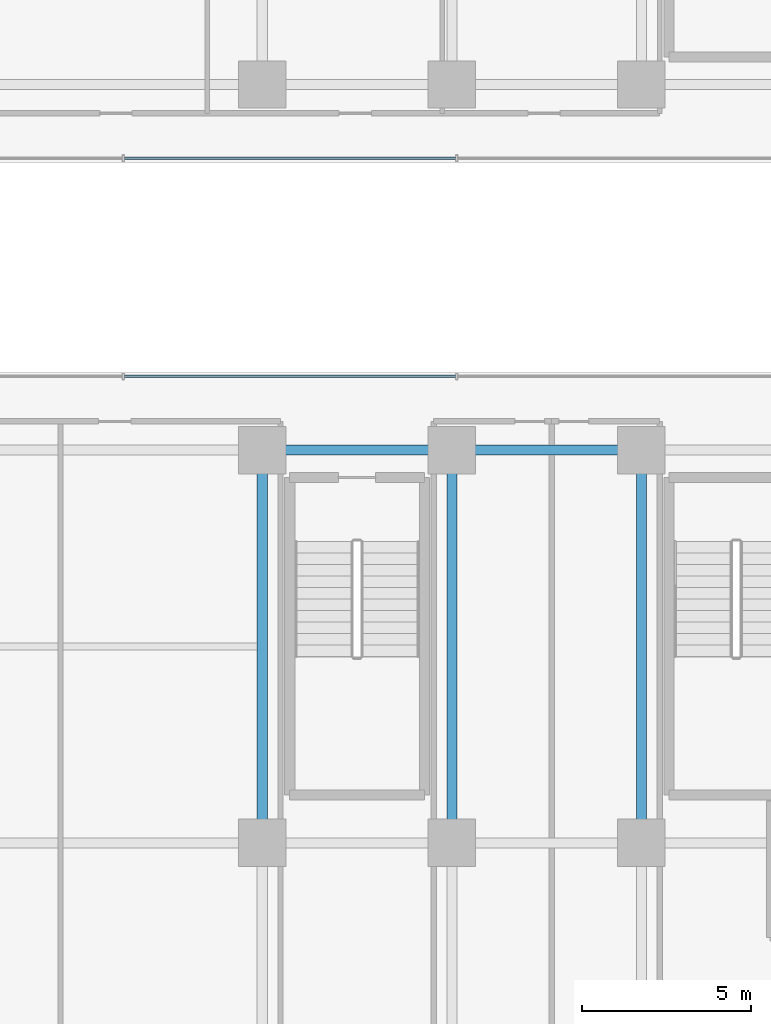
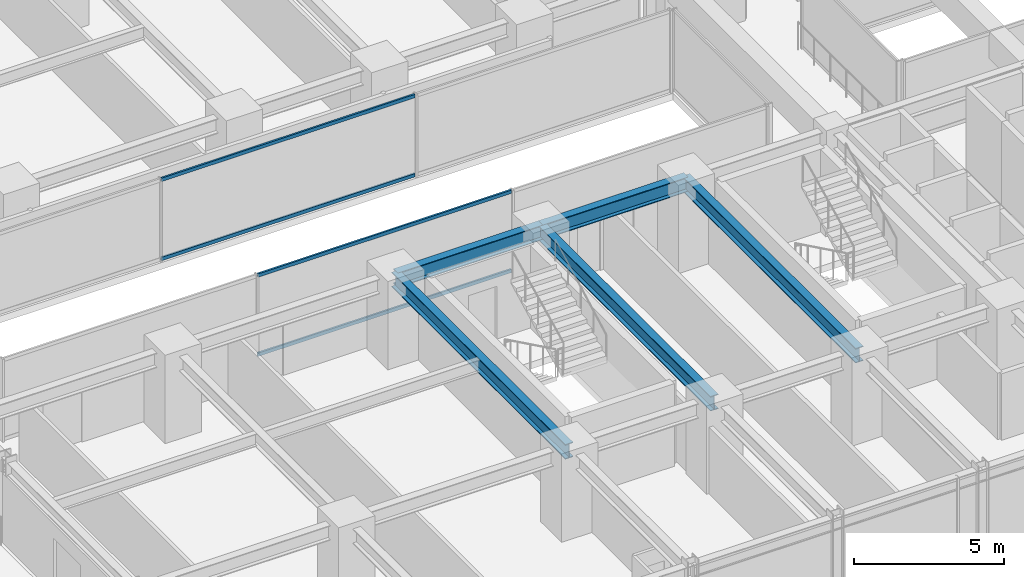
# One storey, part 10 of 37: 5 beams, 4 members, 2 elements without a shape of their own.
"""IFC4 building model written with IfcOpenShell, lengths in metres."""

from ifc_helpers import new_model, si_unit, direction, frame, origin, origin_2d, place, context, subcontext, project, spatial, hollow_rectangle, i_section, extrude, source, transform, mapped, material, material_profile, profile_set, type_object, element, aggregate, save


model = new_model("IFC4")

# Units and contexts
model_context = context("Model", 3, precision=1e-05, world=origin(), true_north=direction((0.0, 1.0)))
body_context = subcontext(model_context, "Body", "Model", "MODEL_VIEW")
ifc_project = project(units=[si_unit("LENGTHUNIT", "METRE"), si_unit("AREAUNIT", "SQUARE_METRE"), si_unit("VOLUMEUNIT", "CUBIC_METRE"), si_unit("PLANEANGLEUNIT", "RADIAN"), si_unit("MASSUNIT", "GRAM", prefix="KILO")], contexts=[model_context])

# Site, building, storey
site_placement = place(None, origin())
site = spatial("IfcSite", under=ifc_project, at=site_placement, CompositionType="ELEMENT")
building_placement = place(site_placement, origin())
building = spatial("IfcBuilding", under=site, at=building_placement, Name="Nahalor Promenade Grand Hotel", CompositionType="ELEMENT")
storey_placement = place(building_placement, frame((0.0, 0.0, 65.25)))
storey = spatial("IfcBuildingStorey", under=building, at=storey_placement, Name="L15", CompositionType="ELEMENT", Elevation=65.25)

# Beams
ifc_material_1 = material(Name="Steel S355JR", Category="steel")
ifc_material_profile_1 = material_profile(ifc_material_1, i_section(OverallWidth=0.3, OverallDepth=0.6, WebThickness=0.0155, FlangeThickness=0.03, at=origin_2d()), Name="HEB 600")
ifc_profile_set_1 = profile_set([ifc_material_profile_1], Name="Steel S355JR")
beam_type = type_object("IfcBeamType", Name="Beam-Girder-HEB600", PredefinedType="BEAM", material=ifc_profile_set_1)
shared_shape_1 = source(origin(), body_context, "Body", "SweptSolid", [
    extrude(i_section(OverallWidth=0.3, OverallDepth=0.6, WebThickness=0.0155, FlangeThickness=0.03, at=origin_2d()), origin(), (0.0, 0.0, 1.0), 5.599853515625),
])
beam_1_placement = place(storey_placement, frame((-8.39990234375, -5.39990234375, 3.070068359375), z_axis=(1.0, 0.0, 0.0), x_axis=(0.0, 1.0, 0.0)))
element("IfcBeam", 1, at=beam_1_placement, inside=storey, type_object=beam_type, Name="BM-L15-GX-1-2", PredefinedType="BEAM", context=body_context, shape_type="MappedRepresentation", body=[
    mapped(shared_shape_1, transform((0.0, 0.0, 0.0), scale=1.0)),
])
shared_shape_2 = source(origin(), body_context, "Body", "SweptSolid", [
    extrude(i_section(OverallWidth=0.3, OverallDepth=0.6, WebThickness=0.0155, FlangeThickness=0.03, at=origin_2d()), origin(), (0.0, 0.0, 1.0), 5.60009765625),
])
beam_2_placement = place(storey_placement, frame((-2.800048828125, -5.39990234375, 3.070068359375), z_axis=(1.0, 0.0, 0.0), x_axis=(0.0, 1.0, 0.0)))
element("IfcBeam", 2, at=beam_2_placement, inside=storey, type_object=beam_type, Name="BM-L15-GX-1-3", PredefinedType="BEAM", context=body_context, shape_type="MappedRepresentation", body=[
    mapped(shared_shape_2, transform((0.0, 0.0, 0.0), scale=1.0)),
])
shared_shape_3 = source(origin(), body_context, "Body", "SweptSolid", [
    extrude(i_section(OverallWidth=0.3, OverallDepth=0.6, WebThickness=0.0155, FlangeThickness=0.03, at=origin_2d()), origin(), (0.0, 0.0, 1.0), 11.60009765625),
])
for number, where, z_axis, x_axis, name in (
    (3, (-8.39990234375, -17.0, 3.070068359375), (0.0, 1.0, 0.0), (-1.0, 0.0, 0.0), "BM-L15-GY-1-1"),
    (4, (-2.800048828125, -17.0, 3.070068359375), (0.0, 1.0, 0.0), (-1.0, 0.0, 0.0), "BM-L15-GY-2-1"),
    (5, (2.800048828125, -17.0, 3.070068359375), (0.0, 1.0, 0.0), (-1.0, 0.0, 0.0), "BM-L15-GY-3-1"),
):
    element("IfcBeam", number, at=place(storey_placement, frame(where, z_axis=z_axis, x_axis=x_axis)), inside=storey, type_object=beam_type, Name=name, PredefinedType="BEAM", context=body_context, shape_type="MappedRepresentation", body=[
        mapped(shared_shape_3, transform((0.0, 0.0, 0.0), scale=1.0)),
    ])

# Curtain wall, members
ifc_material_2 = material(Name="Anodised Bronze Aluminium EN AW-6063 T6", Category="aluminium")
curtain_wall_type = type_object("IfcCurtainWallType", Name="CW3 Elliptical-Void Collar Unitised Curtain Wall", PredefinedType="USERDEFINED", material=ifc_material_2)
curtain_wall_1_placement = place(storey_placement, origin())
curtain_wall_1 = element("IfcCurtainWall", 6, at=curtain_wall_1_placement, inside=storey, type_object=curtain_wall_type, Name="L15 Curtain Wall CW-L15-VOID-WS1", ObjectType="UNITISED_CURTAIN_WALL", PredefinedType="USERDEFINED")
ifc_material_profile_2 = material_profile(ifc_material_2, hollow_rectangle(XDim=0.07, YDim=0.14, WallThickness=0.004, at=origin_2d()), Name="CWT 70x140x4")
ifc_profile_set_2 = profile_set([ifc_material_profile_2], Name="Anodised Bronze Aluminium EN AW-6063 T6")
member_type = type_object("IfcMemberType", Name="CWT3 Void Collar Transom 70x140", PredefinedType="USERDEFINED", material=ifc_profile_set_2)
shared_shape_4 = source(origin(), body_context, "Body", "SweptSolid", [
    extrude(hollow_rectangle(XDim=0.07, YDim=0.14, WallThickness=0.004, at=origin_2d()), origin(), (0.0, 0.0, 1.0), 9.783447265625),
])
member_1_placement = place(storey_placement, frame((-12.4716796875, -3.219970703125, 0.070068359375), z_axis=(1.0, 0.0, 0.0), x_axis=(0.0, 1.0, 0.0)))
member_1 = element("IfcMember", 7, at=member_1_placement, type_object=member_type, Name="CW-L15-VOID-WS1 Transom 1-0", ObjectType="TRANSOM", PredefinedType="USERDEFINED", context=body_context, shape_type="MappedRepresentation", body=[
    mapped(shared_shape_4, transform((0.0, 0.0, 0.0), scale=1.0)),
])
member_2_placement = place(storey_placement, frame((-12.4716796875, -3.219970703125, 3.300048828125), z_axis=(1.0, 0.0, 0.0), x_axis=(0.0, 1.0, 0.0)))
member_2 = element("IfcMember", 8, at=member_2_placement, type_object=member_type, Name="CW-L15-VOID-WS1 Transom 1-1", ObjectType="TRANSOM", PredefinedType="USERDEFINED", context=body_context, shape_type="MappedRepresentation", body=[
    mapped(shared_shape_4, transform((0.0, 0.0, 0.0), scale=1.0)),
])
aggregate(curtain_wall_1, [member_1, member_2])

curtain_wall_2_placement = place(storey_placement, origin())
curtain_wall_2 = element("IfcCurtainWall", 9, at=curtain_wall_2_placement, inside=storey, type_object=curtain_wall_type, Name="L15 Curtain Wall CW-L15-VOID-WN1", ObjectType="UNITISED_CURTAIN_WALL", PredefinedType="USERDEFINED")
member_3_placement = place(storey_placement, frame((-12.4716796875, 3.219970703125, 0.070068359375), z_axis=(1.0, 0.0, 0.0), x_axis=(0.0, 1.0, 0.0)))
member_3 = element("IfcMember", 10, at=member_3_placement, type_object=member_type, Name="CW-L15-VOID-WN1 Transom 1-0", ObjectType="TRANSOM", PredefinedType="USERDEFINED", context=body_context, shape_type="MappedRepresentation", body=[
    mapped(shared_shape_4, transform((0.0, 0.0, 0.0), scale=1.0)),
])
member_4_placement = place(storey_placement, frame((-12.4716796875, 3.219970703125, 3.300048828125), z_axis=(1.0, 0.0, 0.0), x_axis=(0.0, 1.0, 0.0)))
member_4 = element("IfcMember", 11, at=member_4_placement, type_object=member_type, Name="CW-L15-VOID-WN1 Transom 1-1", ObjectType="TRANSOM", PredefinedType="USERDEFINED", context=body_context, shape_type="MappedRepresentation", body=[
    mapped(shared_shape_4, transform((0.0, 0.0, 0.0), scale=1.0)),
])
aggregate(curtain_wall_2, [member_3, member_4])

save(model, "model.ifc")
